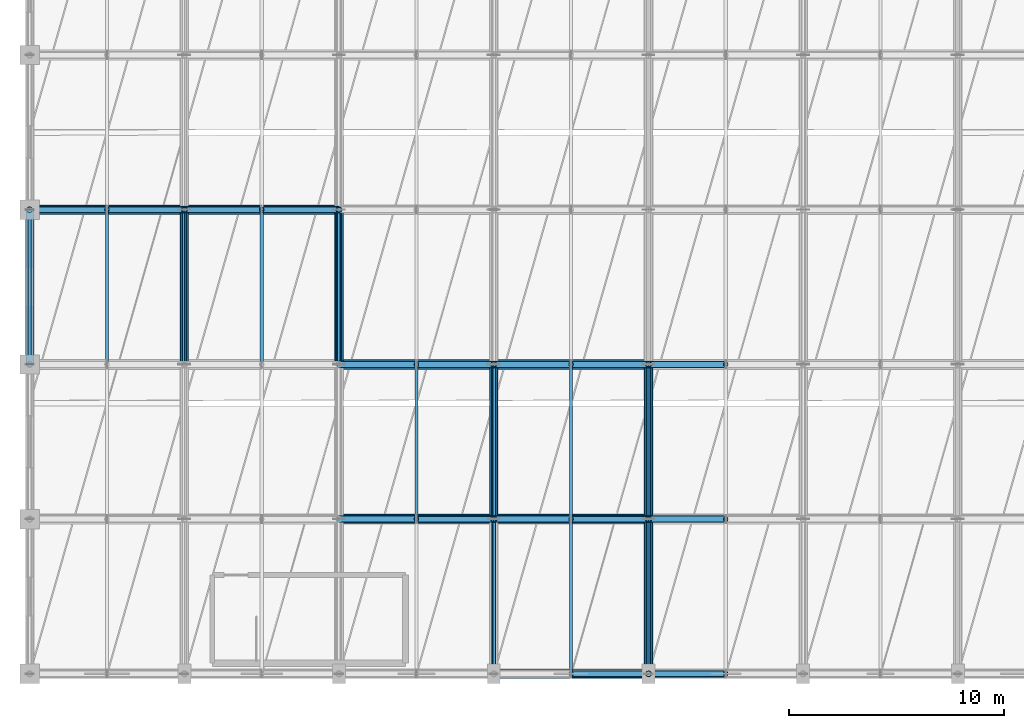
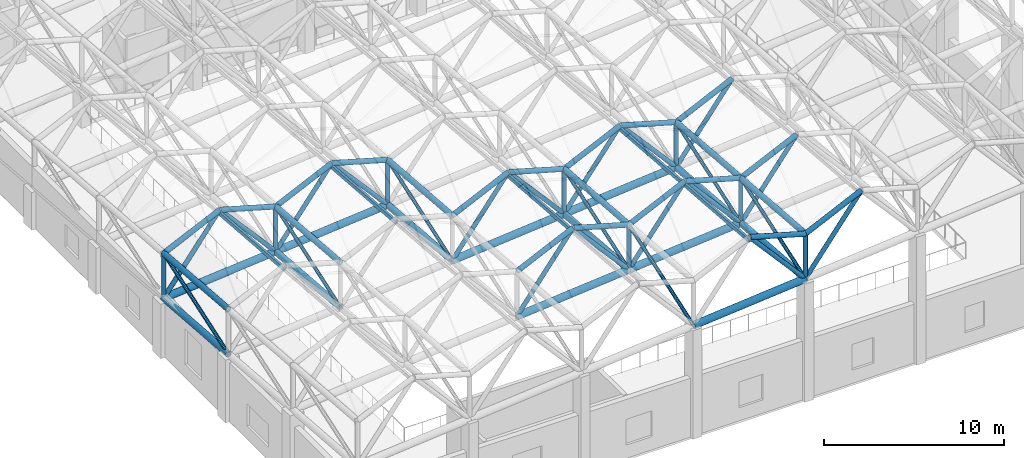
# One storey, part 19 of 113: 71 members.
"""IFC4 building model written with IfcOpenShell, lengths in metres."""

from ifc_helpers import new_model, si_unit, direction, frame, origin, origin_2d, place, context, subcontext, project, spatial, hollow_rectangle, hollow_circle, extrude, material, material_profile, profile_set, type_object, element, save


model = new_model("IFC4")

# Units and contexts
model_context = context("Model", 3, precision=1e-05, world=origin(), true_north=direction((0.0, 1.0)))
body_context = subcontext(model_context, "Body", "Model", "MODEL_VIEW")
ifc_project = project(units=[si_unit("LENGTHUNIT", "METRE"), si_unit("AREAUNIT", "SQUARE_METRE"), si_unit("VOLUMEUNIT", "CUBIC_METRE"), si_unit("PLANEANGLEUNIT", "RADIAN"), si_unit("MASSUNIT", "GRAM", prefix="KILO")], contexts=[model_context])

# Site, building, storey
site_placement = place(None, origin())
site = spatial("IfcSite", under=ifc_project, at=site_placement, CompositionType="ELEMENT")
building_placement = place(site_placement, origin())
building = spatial("IfcBuilding", under=site, at=building_placement, Name="Carrowvane Square Congress Hotel", CompositionType="ELEMENT")
storey_placement = place(building_placement, frame((0.0, 0.0, 15.0)))
storey = spatial("IfcBuildingStorey", under=building, at=storey_placement, Name="L03", CompositionType="ELEMENT", Elevation=15.0)

# Members
ifc_material_1 = material(Name="Steel S355", Category="steel")
ifc_material_profile_1 = material_profile(ifc_material_1, hollow_rectangle(XDim=0.14990234375, YDim=0.25, WallThickness=0.012451171875, at=origin_2d()), Name="RHS 250x150x12.5")
ifc_profile_set_1 = profile_set([ifc_material_profile_1], Name="Steel S355")
member_type_1 = type_object("IfcMemberType", Name="MEM-PR-RHS250", PredefinedType="PURLIN", material=ifc_profile_set_1)
for number, where, z_axis, x_axis, name in (
    (1, (15.199951171875, 19.800048828125, 8.795654296875), (0.0, 0.996866873479, -0.079097639413), (-1.0, 0.0, 0.0), "Space-frame ridge purlin 451"),
    (2, (22.39990234375, 19.800048828125, 9.452880859375), (0.0, 0.996864207606, -0.079131230206), (-1.0, 0.0, 0.0), "Space-frame ridge purlin 458"),
    (3, (29.60009765625, 12.60009765625, 10.681396484375), (0.0, 0.996866873479, -0.079097639413), (-1.0, 0.0, 0.0), "Space-frame ridge purlin 464"),
):
    element("IfcMember", number, at=place(storey_placement, frame(where, z_axis=z_axis, x_axis=x_axis)), inside=storey, type_object=member_type_1, Name=name, PredefinedType="PURLIN", context=body_context, shape_type="SweptSolid", body=[
        extrude(hollow_rectangle(XDim=0.14990234375, YDim=0.25, WallThickness=0.012451171875, at=origin_2d()), origin(), (0.0, 0.0, 1.0), 7.22265625),
    ])
member_1_placement = place(storey_placement, frame((36.800048828125, 5.39990234375, 11.909912109375), z_axis=(0.0, 0.996867084951, -0.079094974189), x_axis=(-1.0, 0.0, 0.0)))
element("IfcMember", 4, at=member_1_placement, inside=storey, type_object=member_type_1, Name="Space-frame ridge purlin 470", PredefinedType="PURLIN", context=body_context, shape_type="SweptSolid", body=[
    extrude(hollow_rectangle(XDim=0.14990234375, YDim=0.25, WallThickness=0.012451171875, at=origin_2d()), origin(), (0.0, 0.0, 1.0), 7.222900390625),
])
member_2_placement = place(storey_placement, frame((36.800048828125, 12.60009765625, 11.338623046875), z_axis=(0.0, 0.996864207606, -0.079131230206), x_axis=(-1.0, 0.0, 0.0)))
element("IfcMember", 5, at=member_2_placement, inside=storey, type_object=member_type_1, Name="Space-frame ridge purlin 471", PredefinedType="PURLIN", context=body_context, shape_type="SweptSolid", body=[
    extrude(hollow_rectangle(XDim=0.14990234375, YDim=0.25, WallThickness=0.012451171875, at=origin_2d()), origin(), (0.0, 0.0, 1.0), 7.22265625),
])
ifc_material_2 = material(Name="Steel S355", Category="steel")
ifc_material_profile_2 = material_profile(ifc_material_2, hollow_circle(Radius=0.136474609375, WallThickness=0.01611328125, at=origin_2d()), Name="CHS 273.0x16")
ifc_profile_set_2 = profile_set([ifc_material_profile_2], Name="Steel S355")
member_type_2 = type_object("IfcMemberType", Name="MEM-ST-CHS273", PredefinedType="STRUT", material=ifc_profile_set_2)
member_3_placement = place(storey_placement, frame((11.60009765625, 27.0, 3.705810546875), z_axis=(0.0, 0.0, 1.0), x_axis=(1.0, 0.0, 0.0)))
element("IfcMember", 6, at=member_3_placement, inside=storey, type_object=member_type_2, Name="Space-frame vertical post 501", PredefinedType="STRUT", context=body_context, shape_type="SweptSolid", body=[
    extrude(hollow_circle(Radius=0.136474609375, WallThickness=0.01611328125, at=origin_2d()), origin(), (0.0, 0.0, 1.0), 3.0498046875),
])
for number, where, z_axis, x_axis, name in (
    (7, (18.800048828125, 27.0, 4.36279296875), (0.0, 0.0, 1.0), (1.0, 0.0, 0.0), "Space-frame vertical post 509"),
    (8, (26.0, 27.0, 5.02001953125), (0.0, 0.0, 1.0), (1.0, 0.0, 0.0), "Space-frame vertical post 517"),
    (9, (33.199951171875, 12.60009765625, 6.820068359375), (0.0, 0.0, 1.0), (1.0, 0.0, 0.0), "Space-frame vertical post 523"),
    (10, (33.199951171875, 19.800048828125, 6.24853515625), (0.0, 0.0, 1.0), (1.0, 0.0, 0.0), "Space-frame vertical post 524"),
    (11, (40.39990234375, 5.39990234375, 8.048583984375), (0.0, 0.0, 1.0), (1.0, 0.0, 0.0), "Space-frame vertical post 530"),
    (12, (40.39990234375, 12.60009765625, 7.47705078125), (0.0, 0.0, 1.0), (1.0, 0.0, 0.0), "Space-frame vertical post 531"),
    (13, (40.39990234375, 19.800048828125, 6.90576171875), (0.0, 0.0, 1.0), (1.0, 0.0, 0.0), "Space-frame vertical post 532"),
):
    element("IfcMember", number, at=place(storey_placement, frame(where, z_axis=z_axis, x_axis=x_axis)), inside=storey, type_object=member_type_2, Name=name, PredefinedType="STRUT", context=body_context, shape_type="SweptSolid", body=[
        extrude(hollow_circle(Radius=0.136474609375, WallThickness=0.01611328125, at=origin_2d()), origin(), (0.0, 0.0, 1.0), 3.050048828125),
    ])
ifc_material_3 = material(Name="Steel S355", Category="steel")
ifc_material_profile_3 = material_profile(ifc_material_3, hollow_circle(Radius=0.161865234375, WallThickness=0.01611328125, at=origin_2d()), Name="CHS 323.9x16")
ifc_profile_set_3 = profile_set([ifc_material_profile_3], Name="Steel S355")
member_type_3 = type_object("IfcMemberType", Name="MEM-TC-CHS324", PredefinedType="CHORD", material=ifc_profile_set_3)
member_4_placement = place(storey_placement, frame((36.800048828125, 5.39990234375, 12.1298828125), z_axis=(0.961331812043, 0.0, -0.275392714416), x_axis=(0.0, 1.0, 0.0)))
element("IfcMember", 14, at=member_4_placement, inside=storey, type_object=member_type_3, Name="Space-frame folded top chord 186", PredefinedType="CHORD", context=body_context, shape_type="SweptSolid", body=[
    extrude(hollow_circle(Radius=0.161865234375, WallThickness=0.01611328125, at=origin_2d()), origin(), (0.0, 0.0, 1.0), 3.74462890625),
])
for number, where, z_axis, x_axis, name in (
    (15, (40.39990234375, 5.39990234375, 11.0986328125), (0.905368957574, 0.0, 0.424625777199), (0.0, 1.0, 0.0), "Space-frame folded top chord 190"),
    (16, (26.0, 12.60009765625, 9.212890625), (0.905368957574, 0.0, 0.424625777199), (0.0, 1.0, 0.0), "Space-frame folded top chord 215"),
):
    element("IfcMember", number, at=place(storey_placement, frame(where, z_axis=z_axis, x_axis=x_axis)), inside=storey, type_object=member_type_3, Name=name, PredefinedType="CHORD", context=body_context, shape_type="SweptSolid", body=[
        extrude(hollow_circle(Radius=0.161865234375, WallThickness=0.01611328125, at=origin_2d()), origin(), (0.0, 0.0, 1.0), 3.976318359375),
    ])
member_5_placement = place(storey_placement, frame((29.60009765625, 12.60009765625, 10.9013671875), z_axis=(0.961331812043, 0.0, -0.275392714416), x_axis=(0.0, 1.0, 0.0)))
element("IfcMember", 17, at=member_5_placement, inside=storey, type_object=member_type_3, Name="Space-frame folded top chord 216", PredefinedType="CHORD", context=body_context, shape_type="SweptSolid", body=[
    extrude(hollow_circle(Radius=0.161865234375, WallThickness=0.01611328125, at=origin_2d()), origin(), (0.0, 0.0, 1.0), 3.74462890625),
])
member_6_placement = place(storey_placement, frame((33.199951171875, 12.60009765625, 9.8701171875), z_axis=(0.905368957574, 0.0, 0.424625777199), x_axis=(0.0, 1.0, 0.0)))
element("IfcMember", 18, at=member_6_placement, inside=storey, type_object=member_type_3, Name="Space-frame folded top chord 220", PredefinedType="CHORD", context=body_context, shape_type="SweptSolid", body=[
    extrude(hollow_circle(Radius=0.161865234375, WallThickness=0.01611328125, at=origin_2d()), origin(), (0.0, 0.0, 1.0), 3.976318359375),
])
member_7_placement = place(storey_placement, frame((36.800048828125, 12.60009765625, 11.55859375), z_axis=(0.961314549928, 0.0, -0.275452965307), x_axis=(0.0, 1.0, 0.0)))
element("IfcMember", 19, at=member_7_placement, inside=storey, type_object=member_type_3, Name="Space-frame folded top chord 221", PredefinedType="CHORD", context=body_context, shape_type="SweptSolid", body=[
    extrude(hollow_circle(Radius=0.161865234375, WallThickness=0.01611328125, at=origin_2d()), origin(), (0.0, 0.0, 1.0), 3.74462890625),
])
for number, where, z_axis, x_axis, name in (
    (20, (40.39990234375, 12.60009765625, 10.527099609375), (0.905345352914, 0.0, 0.424676102408), (0.0, 1.0, 0.0), "Space-frame folded top chord 225"),
    (21, (26.0, 19.800048828125, 8.641357421875), (0.905345352914, 0.0, 0.424676102408), (0.0, 1.0, 0.0), "Space-frame folded top chord 250"),
):
    element("IfcMember", number, at=place(storey_placement, frame(where, z_axis=z_axis, x_axis=x_axis)), inside=storey, type_object=member_type_3, Name=name, PredefinedType="CHORD", context=body_context, shape_type="SweptSolid", body=[
        extrude(hollow_circle(Radius=0.161865234375, WallThickness=0.01611328125, at=origin_2d()), origin(), (0.0, 0.0, 1.0), 3.9765625),
    ])
member_8_placement = place(storey_placement, frame((29.60009765625, 19.800048828125, 10.330078125), z_axis=(0.961314549928, 0.0, -0.275452965307), x_axis=(0.0, 1.0, 0.0)))
element("IfcMember", 22, at=member_8_placement, inside=storey, type_object=member_type_3, Name="Space-frame folded top chord 251", PredefinedType="CHORD", context=body_context, shape_type="SweptSolid", body=[
    extrude(hollow_circle(Radius=0.161865234375, WallThickness=0.01611328125, at=origin_2d()), origin(), (0.0, 0.0, 1.0), 3.74462890625),
])
member_9_placement = place(storey_placement, frame((33.199951171875, 19.800048828125, 9.298583984375), z_axis=(0.905368957574, 0.0, 0.424625777199), x_axis=(0.0, 1.0, 0.0)))
element("IfcMember", 23, at=member_9_placement, inside=storey, type_object=member_type_3, Name="Space-frame folded top chord 255", PredefinedType="CHORD", context=body_context, shape_type="SweptSolid", body=[
    extrude(hollow_circle(Radius=0.161865234375, WallThickness=0.01611328125, at=origin_2d()), origin(), (0.0, 0.0, 1.0), 3.976318359375),
])
member_10_placement = place(storey_placement, frame((36.800048828125, 19.800048828125, 10.987060546875), z_axis=(0.961331812043, 0.0, -0.275392714416), x_axis=(0.0, 1.0, 0.0)))
element("IfcMember", 24, at=member_10_placement, inside=storey, type_object=member_type_3, Name="Space-frame folded top chord 256", PredefinedType="CHORD", context=body_context, shape_type="SweptSolid", body=[
    extrude(hollow_circle(Radius=0.161865234375, WallThickness=0.01611328125, at=origin_2d()), origin(), (0.0, 0.0, 1.0), 3.74462890625),
])
for number, where, z_axis, x_axis, name in (
    (25, (40.39990234375, 19.800048828125, 9.955810546875), (0.905368957574, 0.0, 0.424625777199), (0.0, 1.0, 0.0), "Space-frame folded top chord 260"),
    (26, (11.60009765625, 27.0, 6.755615234375), (0.905334279236, 0.0, 0.424699709018), (0.0, 1.0, 0.0), "Space-frame folded top chord 275"),
):
    element("IfcMember", number, at=place(storey_placement, frame(where, z_axis=z_axis, x_axis=x_axis)), inside=storey, type_object=member_type_3, Name=name, PredefinedType="CHORD", context=body_context, shape_type="SweptSolid", body=[
        extrude(hollow_circle(Radius=0.161865234375, WallThickness=0.01611328125, at=origin_2d()), origin(), (0.0, 0.0, 1.0), 3.976318359375),
    ])
member_11_placement = place(storey_placement, frame((15.199951171875, 27.0, 8.4443359375), z_axis=(0.961319496164, 0.0, -0.275435702651), x_axis=(0.0, 1.0, 0.0)))
element("IfcMember", 27, at=member_11_placement, inside=storey, type_object=member_type_3, Name="Space-frame folded top chord 276", PredefinedType="CHORD", context=body_context, shape_type="SweptSolid", body=[
    extrude(hollow_circle(Radius=0.161865234375, WallThickness=0.01611328125, at=origin_2d()), origin(), (0.0, 0.0, 1.0), 3.744873046875),
])
member_12_placement = place(storey_placement, frame((18.800048828125, 27.0, 7.412841796875), z_axis=(0.905357886231, 0.0, 0.424649382243), x_axis=(0.0, 1.0, 0.0)))
element("IfcMember", 28, at=member_12_placement, inside=storey, type_object=member_type_3, Name="Space-frame folded top chord 280", PredefinedType="CHORD", context=body_context, shape_type="SweptSolid", body=[
    extrude(hollow_circle(Radius=0.161865234375, WallThickness=0.01611328125, at=origin_2d()), origin(), (0.0, 0.0, 1.0), 3.97607421875),
])
member_13_placement = place(storey_placement, frame((22.39990234375, 27.0, 9.101318359375), z_axis=(0.961336756204, 0.0, -0.275375454917), x_axis=(0.0, 1.0, 0.0)))
element("IfcMember", 29, at=member_13_placement, inside=storey, type_object=member_type_3, Name="Space-frame folded top chord 281", PredefinedType="CHORD", context=body_context, shape_type="SweptSolid", body=[
    extrude(hollow_circle(Radius=0.161865234375, WallThickness=0.01611328125, at=origin_2d()), origin(), (0.0, 0.0, 1.0), 3.744873046875),
])
ifc_material_4 = material(Name="Steel S355", Category="steel")
ifc_material_profile_4 = material_profile(ifc_material_4, hollow_circle(Radius=0.177734375, WallThickness=0.02001953125, at=origin_2d()), Name="CHS 355.6x20")
ifc_profile_set_4 = profile_set([ifc_material_profile_4], Name="Steel S355")
member_type_4 = type_object("IfcMemberType", Name="MEM-TC-CHS356", PredefinedType="CHORD", material=ifc_profile_set_4)
for number, where, z_axis, x_axis, name in (
    (30, (11.60009765625, 19.800048828125, 7.3271484375), (0.0, 0.996864207606, -0.079131230206), (-1.0, 0.0, 0.0), "Space-frame valley top chord 7"),
    (31, (18.800048828125, 19.800048828125, 7.984375), (0.0, 0.996864207606, -0.079131230206), (-1.0, 0.0, 0.0), "Space-frame valley top chord 28"),
    (32, (26.0, 19.800048828125, 8.641357421875), (0.0, 0.996866873479, -0.079097639413), (-1.0, 0.0, 0.0), "Space-frame valley top chord 49"),
    (33, (33.199951171875, 12.60009765625, 9.8701171875), (0.0, 0.996864207606, -0.079131230206), (-1.0, 0.0, 0.0), "Space-frame valley top chord 67"),
):
    element("IfcMember", number, at=place(storey_placement, frame(where, z_axis=z_axis, x_axis=x_axis)), inside=storey, type_object=member_type_4, Name=name, PredefinedType="CHORD", context=body_context, shape_type="SweptSolid", body=[
        extrude(hollow_circle(Radius=0.177734375, WallThickness=0.02001953125, at=origin_2d()), origin(), (0.0, 0.0, 1.0), 7.22265625),
    ])
member_14_placement = place(storey_placement, frame((40.39990234375, 5.39990234375, 11.0986328125), z_axis=(0.0, 0.996864419257, -0.079128563864), x_axis=(-1.0, 0.0, 0.0)))
element("IfcMember", 34, at=member_14_placement, inside=storey, type_object=member_type_4, Name="Space-frame valley top chord 85", PredefinedType="CHORD", context=body_context, shape_type="SweptSolid", body=[
    extrude(hollow_circle(Radius=0.177734375, WallThickness=0.02001953125, at=origin_2d()), origin(), (0.0, 0.0, 1.0), 7.222900390625),
])
member_15_placement = place(storey_placement, frame((40.39990234375, 12.60009765625, 10.527099609375), z_axis=(0.0, 0.996866873479, -0.079097639413), x_axis=(-1.0, 0.0, 0.0)))
element("IfcMember", 35, at=member_15_placement, inside=storey, type_object=member_type_4, Name="Space-frame valley top chord 88", PredefinedType="CHORD", context=body_context, shape_type="SweptSolid", body=[
    extrude(hollow_circle(Radius=0.177734375, WallThickness=0.02001953125, at=origin_2d()), origin(), (0.0, 0.0, 1.0), 7.22265625),
])
ifc_material_5 = material(Name="Steel S355", Category="steel")
ifc_material_profile_5 = material_profile(ifc_material_5, hollow_circle(Radius=0.203125, WallThickness=0.02001953125, at=origin_2d()), Name="CHS 406.4x20")
ifc_profile_set_5 = profile_set([ifc_material_profile_5], Name="Steel S355")
member_type_5 = type_object("IfcMemberType", Name="MEM-TC-CHS406", PredefinedType="CHORD", material=ifc_profile_set_5)
for number, where, z_axis, x_axis, name in (
    (36, (11.60009765625, 19.800048828125, 4.277099609375), (0.0, 0.996866873479, -0.079097639413), (-1.0, 0.0, 0.0), "Space-frame bottom chord 8"),
    (37, (18.800048828125, 19.800048828125, 4.934326171875), (0.0, 0.996864207606, -0.079131230206), (-1.0, 0.0, 0.0), "Space-frame bottom chord 29"),
    (38, (26.0, 19.800048828125, 5.59130859375), (0.0, 0.996866873479, -0.079097639413), (-1.0, 0.0, 0.0), "Space-frame bottom chord 50"),
    (39, (33.199951171875, 12.60009765625, 6.820068359375), (0.0, 0.996864207606, -0.079131230206), (-1.0, 0.0, 0.0), "Space-frame bottom chord 68"),
):
    element("IfcMember", number, at=place(storey_placement, frame(where, z_axis=z_axis, x_axis=x_axis)), inside=storey, type_object=member_type_5, Name=name, PredefinedType="CHORD", context=body_context, shape_type="SweptSolid", body=[
        extrude(hollow_circle(Radius=0.203125, WallThickness=0.02001953125, at=origin_2d()), origin(), (0.0, 0.0, 1.0), 7.22265625),
    ])
member_16_placement = place(storey_placement, frame((40.39990234375, 5.39990234375, 8.048583984375), z_axis=(0.0, 0.996864419257, -0.079128563864), x_axis=(-1.0, 0.0, 0.0)))
element("IfcMember", 40, at=member_16_placement, inside=storey, type_object=member_type_5, Name="Space-frame bottom chord 86", PredefinedType="CHORD", context=body_context, shape_type="SweptSolid", body=[
    extrude(hollow_circle(Radius=0.203125, WallThickness=0.02001953125, at=origin_2d()), origin(), (0.0, 0.0, 1.0), 7.222900390625),
])
member_17_placement = place(storey_placement, frame((40.39990234375, 12.60009765625, 7.47705078125), z_axis=(0.0, 0.996866873479, -0.079097639413), x_axis=(-1.0, 0.0, 0.0)))
element("IfcMember", 41, at=member_17_placement, inside=storey, type_object=member_type_5, Name="Space-frame bottom chord 89", PredefinedType="CHORD", context=body_context, shape_type="SweptSolid", body=[
    extrude(hollow_circle(Radius=0.203125, WallThickness=0.02001953125, at=origin_2d()), origin(), (0.0, 0.0, 1.0), 7.22265625),
])
ifc_material_6 = material(Name="Steel S355", Category="steel")
ifc_material_profile_6 = material_profile(ifc_material_6, hollow_circle(Radius=0.228515625, WallThickness=0.02490234375, at=origin_2d()), Name="CHS 457.0x25")
ifc_profile_set_6 = profile_set([ifc_material_profile_6], Name="Steel S355")
member_type_6 = type_object("IfcMemberType", Name="MEM-TC-CHS457", PredefinedType="CHORD", material=ifc_profile_set_6)
for number, where, z_axis, x_axis, name in (
    (42, (33.199951171875, 5.39990234375, 7.391357421875), (0.995859646859, 0.0, 0.090904145988), (0.0, 1.0, 0.0), "Space-frame cross bottom chord 184"),
    (43, (26.0, 12.60009765625, 6.162841796875), (0.995859646859, 0.0, 0.090904145988), (0.0, 1.0, 0.0), "Space-frame cross bottom chord 214"),
    (44, (33.199951171875, 12.60009765625, 6.820068359375), (0.99586270327, 0.0, 0.090870656624), (0.0, 1.0, 0.0), "Space-frame cross bottom chord 219"),
    (45, (26.0, 19.800048828125, 5.59130859375), (0.995859646859, 0.0, 0.090904145988), (0.0, 1.0, 0.0), "Space-frame cross bottom chord 249"),
    (46, (33.199951171875, 19.800048828125, 6.24853515625), (0.995859646859, 0.0, 0.090904145988), (0.0, 1.0, 0.0), "Space-frame cross bottom chord 254"),
    (47, (11.60009765625, 27.0, 3.705810546875), (0.99586270327, 0.0, 0.090870656624), (0.0, 1.0, 0.0), "Space-frame cross bottom chord 274"),
    (48, (18.800048828125, 27.0, 4.36279296875), (0.995859646859, 0.0, 0.090904145988), (0.0, 1.0, 0.0), "Space-frame cross bottom chord 279"),
):
    element("IfcMember", number, at=place(storey_placement, frame(where, z_axis=z_axis, x_axis=x_axis)), inside=storey, type_object=member_type_6, Name=name, PredefinedType="CHORD", context=body_context, shape_type="SweptSolid", body=[
        extrude(hollow_circle(Radius=0.228515625, WallThickness=0.02490234375, at=origin_2d()), origin(), (0.0, 0.0, 1.0), 7.22998046875),
    ])
ifc_material_7 = material(Name="Steel S355", Category="steel")
ifc_material_profile_7 = material_profile(ifc_material_7, hollow_circle(Radius=0.109619140625, WallThickness=0.012451171875, at=origin_2d()), Name="CHS 219.1x12.5")
ifc_profile_set_7 = profile_set([ifc_material_profile_7], Name="Steel S355")
member_type_7 = type_object("IfcMemberType", Name="MEM-TD-CHS219", PredefinedType="BRACE", material=ifc_profile_set_7)
for number, where, z_axis, x_axis, name in (
    (49, (11.60009765625, 19.800048828125, 4.277099609375), (0.0, 0.945543894884, 0.325494612623), (-1.0, 0.0, 0.0), "Space-frame web diagonal 9"),
    (50, (18.800048828125, 19.800048828125, 4.934326171875), (0.0, 0.945543894884, 0.325494612623), (-1.0, 0.0, 0.0), "Space-frame web diagonal 30"),
):
    element("IfcMember", number, at=place(storey_placement, frame(where, z_axis=z_axis, x_axis=x_axis)), inside=storey, type_object=member_type_7, Name=name, PredefinedType="BRACE", context=body_context, shape_type="SweptSolid", body=[
        extrude(hollow_circle(Radius=0.109619140625, WallThickness=0.012451171875, at=origin_2d()), origin(), (0.0, 0.0, 1.0), 7.614501953125),
    ])
member_18_placement = place(storey_placement, frame((26.0, 19.800048828125, 5.59130859375), z_axis=(0.0, 0.945534026813, 0.325523277415), x_axis=(-1.0, 0.0, 0.0)))
element("IfcMember", 51, at=member_18_placement, inside=storey, type_object=member_type_7, Name="Space-frame web diagonal 51", PredefinedType="BRACE", context=body_context, shape_type="SweptSolid", body=[
    extrude(hollow_circle(Radius=0.109619140625, WallThickness=0.012451171875, at=origin_2d()), origin(), (0.0, 0.0, 1.0), 7.61474609375),
])
member_19_placement = place(storey_placement, frame((33.199951171875, 5.39990234375, 7.391357421875), z_axis=(0.0, 0.945537424098, 0.325513409293), x_axis=(-1.0, 0.0, 0.0)))
element("IfcMember", 52, at=member_19_placement, inside=storey, type_object=member_type_7, Name="Space-frame web diagonal 66", PredefinedType="BRACE", context=body_context, shape_type="SweptSolid", body=[
    extrude(hollow_circle(Radius=0.109619140625, WallThickness=0.012451171875, at=origin_2d()), origin(), (0.0, 0.0, 1.0), 7.614990234375),
])
member_20_placement = place(storey_placement, frame((33.199951171875, 12.60009765625, 6.820068359375), z_axis=(0.0, 0.945543894884, 0.325494612623), x_axis=(-1.0, 0.0, 0.0)))
element("IfcMember", 53, at=member_20_placement, inside=storey, type_object=member_type_7, Name="Space-frame web diagonal 69", PredefinedType="BRACE", context=body_context, shape_type="SweptSolid", body=[
    extrude(hollow_circle(Radius=0.109619140625, WallThickness=0.012451171875, at=origin_2d()), origin(), (0.0, 0.0, 1.0), 7.614501953125),
])
for number, where, z_axis, x_axis, name in (
    (54, (40.39990234375, 5.39990234375, 8.048583984375), (0.0, 0.945547291607, 0.325484745165), (-1.0, 0.0, 0.0), "Space-frame web diagonal 87"),
    (55, (40.39990234375, 12.60009765625, 7.47705078125), (0.0, 0.945534026813, 0.325523277415), (-1.0, 0.0, 0.0), "Space-frame web diagonal 90"),
):
    element("IfcMember", number, at=place(storey_placement, frame(where, z_axis=z_axis, x_axis=x_axis)), inside=storey, type_object=member_type_7, Name=name, PredefinedType="BRACE", context=body_context, shape_type="SweptSolid", body=[
        extrude(hollow_circle(Radius=0.109619140625, WallThickness=0.012451171875, at=origin_2d()), origin(), (0.0, 0.0, 1.0), 7.61474609375),
    ])
ifc_material_8 = material(Name="Steel S355", Category="steel")
ifc_material_profile_8 = material_profile(ifc_material_8, hollow_circle(Radius=0.136474609375, WallThickness=0.01611328125, at=origin_2d()), Name="CHS 273.0x16")
ifc_profile_set_8 = profile_set([ifc_material_profile_8], Name="Steel S355")
member_type_8 = type_object("IfcMemberType", Name="MEM-TD-CHS273", PredefinedType="BRACE", material=ifc_profile_set_8)
member_21_placement = place(storey_placement, frame((40.39990234375, 5.39990234375, 8.048583984375), z_axis=(-0.661488088381, 0.0, 0.74995567131), x_axis=(0.0, -1.0, 0.0)))
element("IfcMember", 56, at=member_21_placement, inside=storey, type_object=member_type_8, Name="Space-frame space diagonal 188", PredefinedType="BRACE", context=body_context, shape_type="SweptSolid", body=[
    extrude(hollow_circle(Radius=0.136474609375, WallThickness=0.01611328125, at=origin_2d()), origin(), (0.0, 0.0, 1.0), 5.442138671875),
])
for number, where, z_axis, x_axis, name in (
    (57, (40.39990234375, 5.39990234375, 8.048583984375), (0.604957396698, 0.0, 0.796257840263), (0.0, 1.0, 0.0), "Space-frame space diagonal 192"),
    (58, (26.0, 12.60009765625, 6.162841796875), (0.604957396698, 0.0, 0.796257840263), (0.0, 1.0, 0.0), "Space-frame space diagonal 217"),
):
    element("IfcMember", number, at=place(storey_placement, frame(where, z_axis=z_axis, x_axis=x_axis)), inside=storey, type_object=member_type_8, Name=name, PredefinedType="BRACE", context=body_context, shape_type="SweptSolid", body=[
        extrude(hollow_circle(Radius=0.136474609375, WallThickness=0.01611328125, at=origin_2d()), origin(), (0.0, 0.0, 1.0), 5.950927734375),
    ])
member_22_placement = place(storey_placement, frame((33.199951171875, 12.60009765625, 6.820068359375), z_axis=(-0.661488088381, 0.0, 0.74995567131), x_axis=(0.0, -1.0, 0.0)))
element("IfcMember", 59, at=member_22_placement, inside=storey, type_object=member_type_8, Name="Space-frame space diagonal 218", PredefinedType="BRACE", context=body_context, shape_type="SweptSolid", body=[
    extrude(hollow_circle(Radius=0.136474609375, WallThickness=0.01611328125, at=origin_2d()), origin(), (0.0, 0.0, 1.0), 5.442138671875),
])
member_23_placement = place(storey_placement, frame((33.199951171875, 12.60009765625, 6.820068359375), z_axis=(0.604957396698, 0.0, 0.796257840263), x_axis=(0.0, 1.0, 0.0)))
element("IfcMember", 60, at=member_23_placement, inside=storey, type_object=member_type_8, Name="Space-frame space diagonal 222", PredefinedType="BRACE", context=body_context, shape_type="SweptSolid", body=[
    extrude(hollow_circle(Radius=0.136474609375, WallThickness=0.01611328125, at=origin_2d()), origin(), (0.0, 0.0, 1.0), 5.950927734375),
])
member_24_placement = place(storey_placement, frame((40.39990234375, 12.60009765625, 7.47705078125), z_axis=(-0.661465833466, 0.0, 0.749975300365), x_axis=(0.0, -1.0, 0.0)))
element("IfcMember", 61, at=member_24_placement, inside=storey, type_object=member_type_8, Name="Space-frame space diagonal 223", PredefinedType="BRACE", context=body_context, shape_type="SweptSolid", body=[
    extrude(hollow_circle(Radius=0.136474609375, WallThickness=0.01611328125, at=origin_2d()), origin(), (0.0, 0.0, 1.0), 5.442138671875),
])
for number, where, z_axis, x_axis, name in (
    (62, (40.39990234375, 12.60009765625, 7.47705078125), (0.60493763524, 0.0, 0.796272853656), (0.0, 1.0, 0.0), "Space-frame space diagonal 227"),
    (63, (26.0, 19.800048828125, 5.59130859375), (0.60493763524, 0.0, 0.796272853656), (0.0, 1.0, 0.0), "Space-frame space diagonal 252"),
):
    element("IfcMember", number, at=place(storey_placement, frame(where, z_axis=z_axis, x_axis=x_axis)), inside=storey, type_object=member_type_8, Name=name, PredefinedType="BRACE", context=body_context, shape_type="SweptSolid", body=[
        extrude(hollow_circle(Radius=0.136474609375, WallThickness=0.01611328125, at=origin_2d()), origin(), (0.0, 0.0, 1.0), 5.951171875),
    ])
member_25_placement = place(storey_placement, frame((33.199951171875, 19.800048828125, 6.24853515625), z_axis=(-0.661465833466, 0.0, 0.749975300365), x_axis=(0.0, -1.0, 0.0)))
element("IfcMember", 64, at=member_25_placement, inside=storey, type_object=member_type_8, Name="Space-frame space diagonal 253", PredefinedType="BRACE", context=body_context, shape_type="SweptSolid", body=[
    extrude(hollow_circle(Radius=0.136474609375, WallThickness=0.01611328125, at=origin_2d()), origin(), (0.0, 0.0, 1.0), 5.442138671875),
])
member_26_placement = place(storey_placement, frame((33.199951171875, 19.800048828125, 6.24853515625), z_axis=(0.604957396698, 0.0, 0.796257840263), x_axis=(0.0, 1.0, 0.0)))
element("IfcMember", 65, at=member_26_placement, inside=storey, type_object=member_type_8, Name="Space-frame space diagonal 257", PredefinedType="BRACE", context=body_context, shape_type="SweptSolid", body=[
    extrude(hollow_circle(Radius=0.136474609375, WallThickness=0.01611328125, at=origin_2d()), origin(), (0.0, 0.0, 1.0), 5.950927734375),
])
member_27_placement = place(storey_placement, frame((40.39990234375, 19.800048828125, 6.90576171875), z_axis=(-0.661488088381, 0.0, 0.74995567131), x_axis=(0.0, -1.0, 0.0)))
element("IfcMember", 66, at=member_27_placement, inside=storey, type_object=member_type_8, Name="Space-frame space diagonal 258", PredefinedType="BRACE", context=body_context, shape_type="SweptSolid", body=[
    extrude(hollow_circle(Radius=0.136474609375, WallThickness=0.01611328125, at=origin_2d()), origin(), (0.0, 0.0, 1.0), 5.442138671875),
])
for number, where, z_axis, x_axis, name in (
    (67, (40.39990234375, 19.800048828125, 6.90576171875), (0.604957396698, 0.0, 0.796257840263), (0.0, 1.0, 0.0), "Space-frame space diagonal 262"),
    (68, (11.60009765625, 27.0, 3.705810546875), (0.604931384673, 0.0, 0.796277602246), (0.0, 1.0, 0.0), "Space-frame space diagonal 277"),
):
    element("IfcMember", number, at=place(storey_placement, frame(where, z_axis=z_axis, x_axis=x_axis)), inside=storey, type_object=member_type_8, Name=name, PredefinedType="BRACE", context=body_context, shape_type="SweptSolid", body=[
        extrude(hollow_circle(Radius=0.136474609375, WallThickness=0.01611328125, at=origin_2d()), origin(), (0.0, 0.0, 1.0), 5.950927734375),
    ])
member_28_placement = place(storey_placement, frame((18.800048828125, 27.0, 4.36279296875), z_axis=(-0.661491064627, 0.0, 0.749953046143), x_axis=(0.0, -1.0, 0.0)))
element("IfcMember", 69, at=member_28_placement, inside=storey, type_object=member_type_8, Name="Space-frame space diagonal 278", PredefinedType="BRACE", context=body_context, shape_type="SweptSolid", body=[
    extrude(hollow_circle(Radius=0.136474609375, WallThickness=0.01611328125, at=origin_2d()), origin(), (0.0, 0.0, 1.0), 5.4423828125),
])
member_29_placement = place(storey_placement, frame((18.800048828125, 27.0, 4.36279296875), z_axis=(0.604931384673, 0.0, 0.796277602246), x_axis=(0.0, 1.0, 0.0)))
element("IfcMember", 70, at=member_29_placement, inside=storey, type_object=member_type_8, Name="Space-frame space diagonal 282", PredefinedType="BRACE", context=body_context, shape_type="SweptSolid", body=[
    extrude(hollow_circle(Radius=0.136474609375, WallThickness=0.01611328125, at=origin_2d()), origin(), (0.0, 0.0, 1.0), 5.950927734375),
])
member_30_placement = place(storey_placement, frame((26.0, 27.0, 5.02001953125), z_axis=(-0.66151331907, 0.0, 0.749933416173), x_axis=(0.0, -1.0, 0.0)))
element("IfcMember", 71, at=member_30_placement, inside=storey, type_object=member_type_8, Name="Space-frame space diagonal 283", PredefinedType="BRACE", context=body_context, shape_type="SweptSolid", body=[
    extrude(hollow_circle(Radius=0.136474609375, WallThickness=0.01611328125, at=origin_2d()), origin(), (0.0, 0.0, 1.0), 5.442138671875),
])

save(model, "model.ifc")
